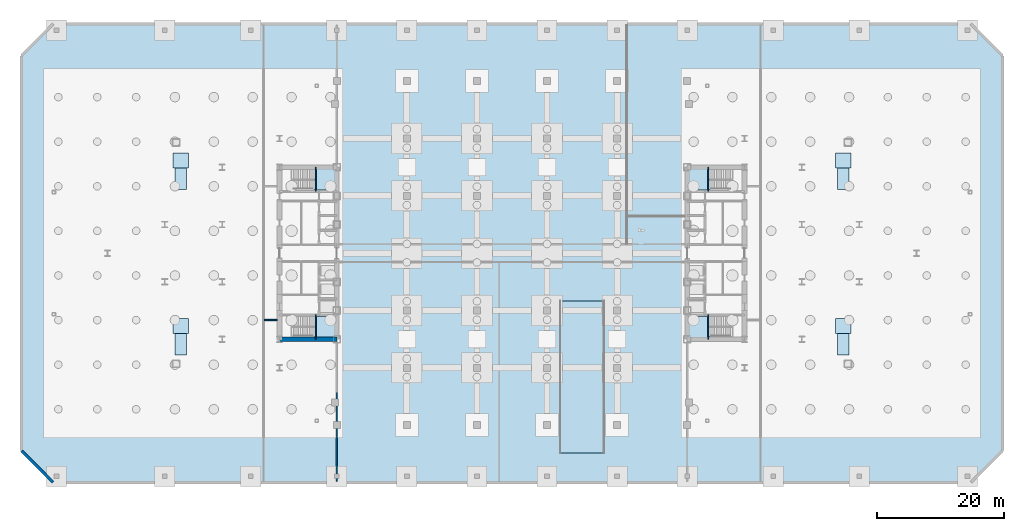
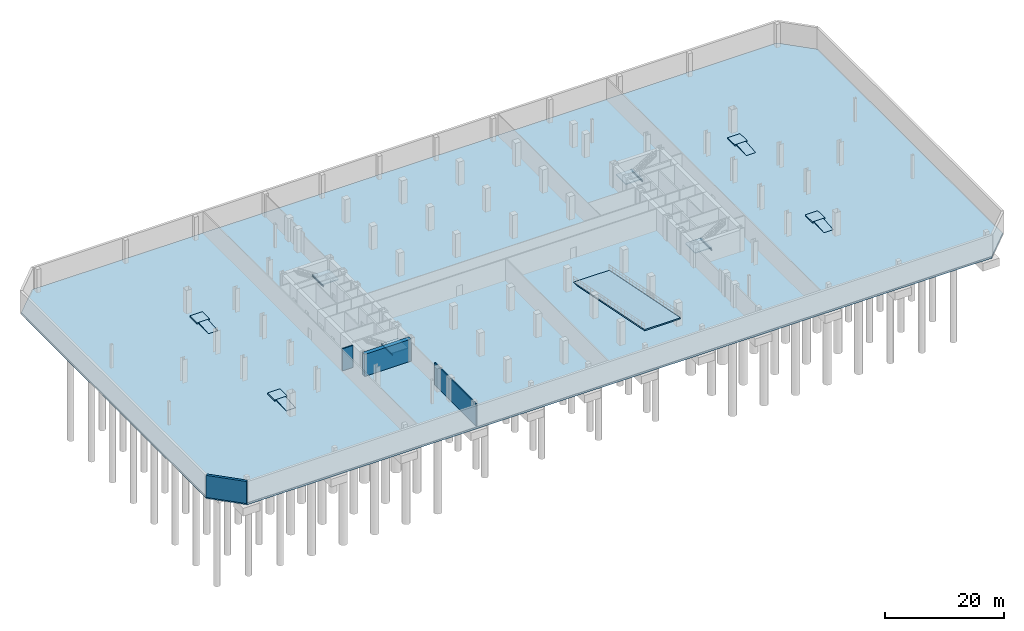
# One storey, part 9 of 18: 14 slabs, 4 beams, 4 walls, 4 elements without a shape of their own.
"""IFC4 building model written with IfcOpenShell, lengths in metres."""

from ifc_helpers import new_model, si_unit, direction, frame, frame_2d, origin, origin_2d, place, context, subcontext, project, spatial, polyline, rectangle, i_section, outline, extrude, source, transform, mapped, material, layer, layer_set, material_profile, profile_set, type_object, type_shapes, element, aggregate, save


model = new_model("IFC4")

# Units and contexts
model_context = context("Model", 3, precision=1e-05, world=origin(), true_north=direction((0.0, 1.0)))
body_context = subcontext(model_context, "Body", "Model", "MODEL_VIEW")
ifc_project = project(units=[si_unit("LENGTHUNIT", "METRE"), si_unit("AREAUNIT", "SQUARE_METRE"), si_unit("VOLUMEUNIT", "CUBIC_METRE"), si_unit("PLANEANGLEUNIT", "RADIAN"), si_unit("MASSUNIT", "GRAM", prefix="KILO")], contexts=[model_context])

# Site, building, storey
site_placement = place(None, origin())
site = spatial("IfcSite", under=ifc_project, at=site_placement, CompositionType="ELEMENT")
building_placement = place(site_placement, origin())
building = spatial("IfcBuilding", under=site, at=building_placement, Name="Seokmaru Belvedere", CompositionType="ELEMENT")
storey_placement = place(building_placement, frame((0.0, 0.0, -9.60009765625)))
storey = spatial("IfcBuildingStorey", under=building, at=storey_placement, Name="B2", CompositionType="ELEMENT", Elevation=-9.60009765625)

# Beams
ifc_material_1 = material(Name="Steel SM355 (355 MPa)", Category="steel")
ifc_material_profile = material_profile(ifc_material_1, i_section(OverallWidth=0.125, OverallDepth=0.25, WebThickness=0.006103515625, FlangeThickness=0.009033203125, at=origin_2d()), Name="H-250x125x6x9")
ifc_profile_set = profile_set([ifc_material_profile], Name="Steel SM355 (355 MPa)")
beam_type = type_object("IfcBeamType", Name="Stair Mid-Landing Support Beam H-250", PredefinedType="JOIST", material=ifc_profile_set)
shared_shape = source(origin(), body_context, "Body", "SweptSolid", [
    extrude(i_section(OverallWidth=0.125, OverallDepth=0.25, WebThickness=0.006103515625, FlangeThickness=0.009033203125, at=origin_2d()), origin(), (0.0, 0.0, 1.0), 3.800048828125),
])
type_shapes(beam_type, [shared_shape])
for number, where, z_axis, x_axis, name in (
    (1, (-30.81005859375, -13.5, 2.0751953125), (0.0, 1.0, 0.0), (-1.0, 0.0, 0.0), "B2 Stair ST-W1 Mid-Landing Support Beam 1"),
    (2, (-30.81005859375, 9.699951171875, 2.0751953125), (0.0, 1.0, 0.0), (-1.0, 0.0, 0.0), "B2 Stair ST-W2 Mid-Landing Support Beam 1"),
    (3, (30.81005859375, -13.5, 2.0751953125), (0.0, 1.0, 0.0), (-1.0, 0.0, 0.0), "B2 Stair ST-E1 Mid-Landing Support Beam 1"),
    (4, (30.81005859375, 9.699951171875, 2.0751953125), (0.0, 1.0, 0.0), (-1.0, 0.0, 0.0), "B2 Stair ST-E2 Mid-Landing Support Beam 1"),
):
    element("IfcBeam", number, at=place(storey_placement, frame(where, z_axis=z_axis, x_axis=x_axis)), inside=storey, type_object=beam_type, Name=name, PredefinedType="JOIST", context=body_context, shape_type="MappedRepresentation", body=[
        mapped(shared_shape, transform((0.0, 0.0, 0.0), scale=1.0)),
    ])

# Slabs
ifc_material_2 = material(Name="Concrete C50 (50 MPa)", Category="concrete")
ifc_layer_1 = layer(ifc_material_2, 0.39990234375)
ifc_layer_set_1 = layer_set([ifc_layer_1], Name="Concrete C50 (50 MPa)")
slab_type_1 = type_object("IfcSlabType", Name="Basement Base Slab 400", PredefinedType="BASESLAB", material=ifc_layer_set_1)
slab_1_placement = place(storey_placement, frame((0.0, 0.0, -0.39990234375)))
element("IfcSlab", 5, at=slab_1_placement, inside=storey, type_object=slab_type_1, Name="B2 Structural Base Slab", PredefinedType="BASESLAB", context=body_context, shape_type="SweptSolid", body=[
    extrude(outline(polyline([(-72.0, -36.0), (72.0, -36.0), (77.0, -31.0), (77.0, 31.0), (72.0, 36.0), (-72.0, 36.0), (-77.0, 31.0), (-77.0, -31.0), (-72.0, -36.0)])), origin(), (0.0, 0.0, 1.0), 0.39990234375),
])
ifc_material_3 = material(Name="Concrete C40 (40 MPa)", Category="concrete")
ifc_layer_2 = layer(ifc_material_3, 0.199951171875)
ifc_layer_set_2 = layer_set([ifc_layer_2], Name="Concrete C40 (40 MPa)")
slab_type_2 = type_object("IfcSlabType", Name="Reinforced Concrete Pedestrian Ramp Slab 200", PredefinedType="FLOOR", material=ifc_layer_set_2)
for number, where, z_axis, x_axis, name in (
    (6, (-52.0, -16.0, 0.0), (0.0, 0.0, 1.0), (0.0, 1.0, 0.0), "B2 Accessible Pedestrian Ramp Slab West Parking North"),
    (7, (-52.0, 10.0, 0.0), (0.0, 0.0, 1.0), (0.0, 1.0, 0.0), "B2 Accessible Pedestrian Ramp Slab West Parking South"),
    (8, (52.0, -16.0, 0.0), (0.0, 0.0, 1.0), (0.0, 1.0, 0.0), "B2 Accessible Pedestrian Ramp Slab East Parking North"),
    (9, (52.0, 10.0, 0.0), (0.0, 0.0, 1.0), (0.0, 1.0, 0.0), "B2 Accessible Pedestrian Ramp Slab East Parking South"),
):
    element("IfcSlab", number, at=place(storey_placement, frame(where, z_axis=z_axis, x_axis=x_axis)), inside=storey, type_object=slab_type_2, Name=name, PredefinedType="FLOOR", context=body_context, shape_type="SweptSolid", body=[
        extrude(outline(polyline([(0.0, 0.0), (3.360107421875, 0.280029296875), (3.360107421875, 0.079345703125), (0.0, -0.20068359375), (0.0, 0.0)])), frame((0.0, 0.89990234375, 0.0), z_axis=(0.0, -1.0, 0.0), x_axis=(1.0, 0.0, 0.0)), (0.0, 0.0, 1.0), 1.7998046875),
    ])

# Stair, slab
stair_type = type_object("IfcStairType", Name="Basement Core Dog-Leg Stair 4800", PredefinedType="TWO_STRAIGHT_RUN_STAIR", material=ifc_material_3)
stair_1_placement = place(storey_placement, origin())
stair_1 = element("IfcStair", 10, at=stair_1_placement, inside=storey, type_object=stair_type, Name="B2 Special Escape Stair ST-W1", PredefinedType="TWO_STRAIGHT_RUN_STAIR")
ifc_layer_3 = layer(ifc_material_3, 0.199951171875)
ifc_layer_set_3 = layer_set([ifc_layer_3], Name="Concrete C40 (40 MPa)")
slab_type_3 = type_object("IfcSlabType", Name="Reinforced Concrete Stair Landing Slab 200", PredefinedType="LANDING", material=ifc_layer_set_3)
slab_2_placement = place(storey_placement, frame((0.0, 0.0, 2.2001953125)))
slab_2 = element("IfcSlab", 11, at=slab_2_placement, type_object=slab_type_3, Name="ST-W1 landing 1", PredefinedType="LANDING", context=body_context, shape_type="SweptSolid", body=[
    extrude(outline(polyline([(-31.0400390625, -13.239990234375), (-27.760009765625, -13.239990234375), (-27.760009765625, -9.949951171875), (-31.0400390625, -9.949951171875), (-31.0400390625, -13.239990234375)])), origin(), (0.0, 0.0, 1.0), 0.199951171875),
])
aggregate(stair_1, [slab_2])

stair_2_placement = place(storey_placement, origin())
stair_2 = element("IfcStair", 12, at=stair_2_placement, inside=storey, type_object=stair_type, Name="B2 Special Escape Stair ST-W2", PredefinedType="TWO_STRAIGHT_RUN_STAIR")
slab_3_placement = place(storey_placement, frame((0.0, 0.0, 2.2001953125)))
slab_3 = element("IfcSlab", 13, at=slab_3_placement, type_object=slab_type_3, Name="ST-W2 landing 1", PredefinedType="LANDING", context=body_context, shape_type="SweptSolid", body=[
    extrude(outline(polyline([(-31.0400390625, 9.949951171875), (-27.760009765625, 9.949951171875), (-27.760009765625, 13.239990234375), (-31.0400390625, 13.239990234375), (-31.0400390625, 9.949951171875)])), origin(), (0.0, 0.0, 1.0), 0.199951171875),
])
aggregate(stair_2, [slab_3])

stair_3_placement = place(storey_placement, origin())
stair_3 = element("IfcStair", 14, at=stair_3_placement, inside=storey, type_object=stair_type, Name="B2 Special Escape Stair ST-E1", PredefinedType="TWO_STRAIGHT_RUN_STAIR")
slab_4_placement = place(storey_placement, frame((0.0, 0.0, 2.2001953125)))
slab_4 = element("IfcSlab", 15, at=slab_4_placement, type_object=slab_type_3, Name="ST-E1 landing 1", PredefinedType="LANDING", context=body_context, shape_type="SweptSolid", body=[
    extrude(outline(polyline([(27.760009765625, -13.239990234375), (31.0400390625, -13.239990234375), (31.0400390625, -9.949951171875), (27.760009765625, -9.949951171875), (27.760009765625, -13.239990234375)])), origin(), (0.0, 0.0, 1.0), 0.199951171875),
])
aggregate(stair_3, [slab_4])

stair_4_placement = place(storey_placement, origin())
stair_4 = element("IfcStair", 16, at=stair_4_placement, inside=storey, type_object=stair_type, Name="B2 Special Escape Stair ST-E2", PredefinedType="TWO_STRAIGHT_RUN_STAIR")
slab_5_placement = place(storey_placement, frame((0.0, 0.0, 2.2001953125)))
slab_5 = element("IfcSlab", 17, at=slab_5_placement, type_object=slab_type_3, Name="ST-E2 landing 1", PredefinedType="LANDING", context=body_context, shape_type="SweptSolid", body=[
    extrude(outline(polyline([(27.760009765625, 9.949951171875), (31.0400390625, 9.949951171875), (31.0400390625, 13.239990234375), (27.760009765625, 13.239990234375), (27.760009765625, 9.949951171875)])), origin(), (0.0, 0.0, 1.0), 0.199951171875),
])
aggregate(stair_4, [slab_5])

# Slabs
slab_6_placement = place(storey_placement, origin())
element("IfcSlab", 18, at=slab_6_placement, inside=storey, type_object=slab_type_3, Name="B2 Accessible Lift Lobby Plinth West Parking North", PredefinedType="LANDING", context=body_context, shape_type="SweptSolid", body=[
    extrude(outline(polyline([(-53.199951171875, -12.639892578125), (-50.800048828125, -12.639892578125), (-50.800048828125, -10.239990234375), (-53.199951171875, -10.239990234375), (-53.199951171875, -12.639892578125)])), origin(), (0.0, 0.0, 1.0), 0.280029296875),
])
slab_7_placement = place(storey_placement, origin())
element("IfcSlab", 19, at=slab_7_placement, inside=storey, type_object=slab_type_3, Name="B2 Accessible Lift Lobby Plinth West Parking South", PredefinedType="LANDING", context=body_context, shape_type="SweptSolid", body=[
    extrude(outline(polyline([(-53.199951171875, 13.360107421875), (-50.800048828125, 13.360107421875), (-50.800048828125, 15.760009765625), (-53.199951171875, 15.760009765625), (-53.199951171875, 13.360107421875)])), origin(), (0.0, 0.0, 1.0), 0.280029296875),
])
slab_8_placement = place(storey_placement, origin())
element("IfcSlab", 20, at=slab_8_placement, inside=storey, type_object=slab_type_3, Name="B2 Accessible Lift Lobby Plinth East Parking North", PredefinedType="LANDING", context=body_context, shape_type="SweptSolid", body=[
    extrude(outline(polyline([(50.800048828125, -12.639892578125), (53.199951171875, -12.639892578125), (53.199951171875, -10.239990234375), (50.800048828125, -10.239990234375), (50.800048828125, -12.639892578125)])), origin(), (0.0, 0.0, 1.0), 0.280029296875),
])
slab_9_placement = place(storey_placement, origin())
element("IfcSlab", 21, at=slab_9_placement, inside=storey, type_object=slab_type_3, Name="B2 Accessible Lift Lobby Plinth East Parking South", PredefinedType="LANDING", context=body_context, shape_type="SweptSolid", body=[
    extrude(outline(polyline([(50.800048828125, 13.360107421875), (53.199951171875, 13.360107421875), (53.199951171875, 15.760009765625), (50.800048828125, 15.760009765625), (50.800048828125, 13.360107421875)])), origin(), (0.0, 0.0, 1.0), 0.280029296875),
])
ifc_layer_4 = layer(ifc_material_3, 0.25)
ifc_layer_set_4 = layer_set([ifc_layer_4], Name="Concrete C40 (40 MPa)")
slab_type_4 = type_object("IfcSlabType", Name="Reinforced Concrete Vehicle Ramp Slab 250", PredefinedType="FLOOR", material=ifc_layer_set_4)
slab_10_placement = place(storey_placement, frame((11.0, -7.5, 0.0), z_axis=(0.0, 0.0, 1.0), x_axis=(0.0, -1.0, 0.0)))
element("IfcSlab", 22, at=slab_10_placement, inside=storey, type_object=slab_type_4, Name="B2 to B1 Car Park Vehicle Ramp Slab", PredefinedType="FLOOR", context=body_context, shape_type="SweptSolid", body=[
    extrude(outline(polyline([(0.0, 0.0), (23.89990234375, 4.800048828125), (23.89990234375, 4.545166015625), (0.0, -0.2548828125), (0.0, 0.0)])), frame((0.0, 3.47998046875, 0.0), z_axis=(0.0, -1.0, 0.0), x_axis=(1.0, 0.0, 0.0)), (0.0, 0.0, 1.0), 6.9599609375),
])

# Walls
ifc_layer_5 = layer(ifc_material_2, 0.449951171875)
ifc_layer_set_5 = layer_set([ifc_layer_5], Name="Concrete C50 (50 MPa)")
wall_type_1 = type_object("IfcWallType", Name="Basement Perimeter Retaining Wall 450", PredefinedType="USERDEFINED", material=ifc_layer_set_5)
wall_1_placement = place(storey_placement, frame((-76.9716796875, -31.0283203125, 0.0), z_axis=(0.0, 0.0, 1.0), x_axis=(0.707106781187, -0.707106781187, 0.0)))
element("IfcWall", 23, at=wall_1_placement, inside=storey, type_object=wall_type_1, Name="B2 Perimeter Retaining Wall 8", ObjectType="RETAININGWALL", PredefinedType="USERDEFINED", context=body_context, shape_type="SweptSolid", body=[
    extrude(rectangle(XDim=6.990966796875, YDim=0.449951171875, at=frame_2d((3.49560546875, 0.0))), origin(), (0.0, 0.0, 1.0), 4.5),
])
ifc_material_4 = material(Name="Fire-Rated Gypsum Shaftwall")
ifc_layer_6 = layer(ifc_material_4, 0.199951171875)
ifc_layer_set_6 = layer_set([ifc_layer_6], Name="Fire-Rated Gypsum Shaftwall")
wall_type_2 = type_object("IfcWallType", Name="Inter-Tenancy Fire Compartment Partition 200", PredefinedType="PARTITIONING", material=ifc_layer_set_6)
wall_2_placement = place(storey_placement, frame((-38.9150390625, -10.5, 0.0), z_axis=(0.0, 0.0, 1.0), x_axis=(1.0, 0.0, 0.0)))
element("IfcWall", 24, at=wall_2_placement, inside=storey, type_object=wall_type_2, Name="B2 Interior Partition 001", PredefinedType="PARTITIONING", context=body_context, shape_type="SweptSolid", body=[
    extrude(rectangle(XDim=2.03515625, YDim=0.199951171875, at=frame_2d((1.017578125, 0.0))), origin(), (0.0, 0.0, 1.0), 4.5),
])
wall_3_placement = place(storey_placement, frame((-27.5, -35.77001953125, 0.0), z_axis=(0.0, 0.0, 1.0), x_axis=(0.0, 1.0, 0.0)))
element("IfcWall", 25, at=wall_3_placement, inside=storey, type_object=wall_type_2, Name="B2 Interior Partition 009", PredefinedType="PARTITIONING", context=body_context, shape_type="SweptSolid", body=[
    extrude(rectangle(XDim=13.95751953125, YDim=0.199951171875, at=frame_2d((6.978759765625, 0.0))), origin(), (0.0, 0.0, 1.0), 4.5),
])
ifc_material_5 = material(Name="Concrete C60 (60 MPa)", Category="concrete")
ifc_layer_7 = layer(ifc_material_5, 0.75)
ifc_layer_set_7 = layer_set([ifc_layer_7], Name="Concrete C60 (60 MPa)")
wall_type_3 = type_object("IfcWallType", Name="Lower Tower Reinforced Concrete Core Wall 750", PredefinedType="SHEAR", material=ifc_layer_set_7)
wall_4_placement = place(storey_placement, frame((-36.5, -13.5, 0.0), z_axis=(0.0, 0.0, 1.0), x_axis=(1.0, 0.0, 0.0)))
element("IfcWall", 26, at=wall_4_placement, inside=storey, type_object=wall_type_3, Name="B2 West South Core Wall", PredefinedType="SHEAR", context=body_context, shape_type="SweptSolid", body=[
    extrude(rectangle(XDim=9.0, YDim=0.75, at=frame_2d((4.5, 0.0))), origin(), (0.0, 0.0, 1.0), 4.5),
])

save(model, "model.ifc")
